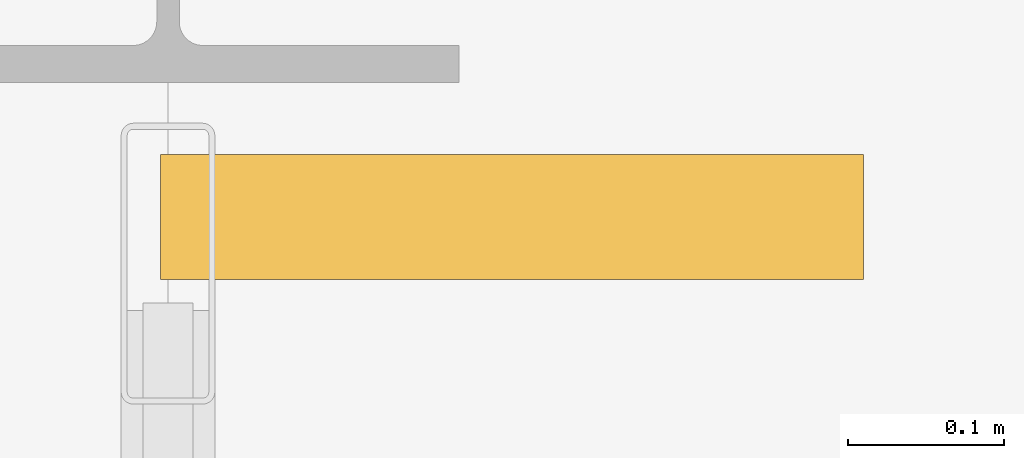
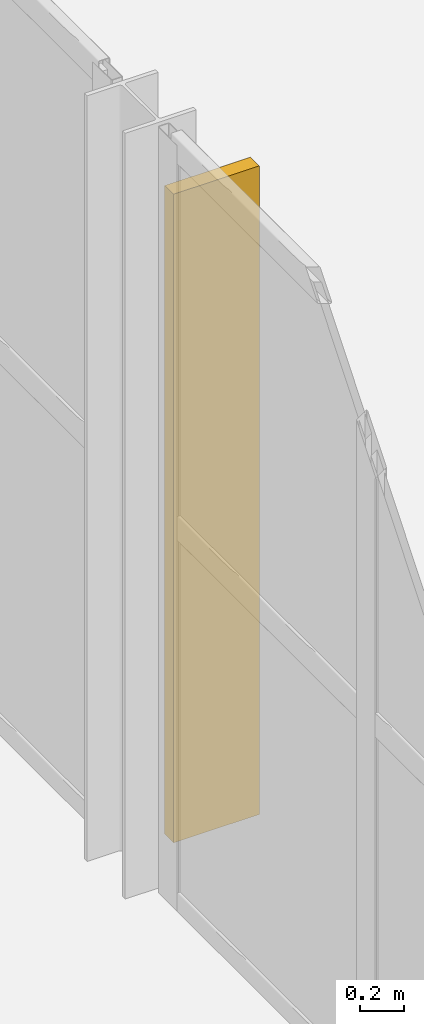
# One storey, part 170 of 170: 1 shading device.
"""IFC4 building model written with IfcOpenShell, lengths in metres."""

from ifc_helpers import new_model, si_unit, direction, frame, origin, origin_2d, place, context, subcontext, project, spatial, rectangle, extrude, material, type_object, element, save


model = new_model("IFC4")

# Units and contexts
model_context = context("Model", 3, precision=1e-05, world=origin(), true_north=direction((0.0, 1.0)))
body_context = subcontext(model_context, "Body", "Model", "MODEL_VIEW")
ifc_project = project(units=[si_unit("LENGTHUNIT", "METRE"), si_unit("AREAUNIT", "SQUARE_METRE"), si_unit("VOLUMEUNIT", "CUBIC_METRE"), si_unit("PLANEANGLEUNIT", "RADIAN"), si_unit("MASSUNIT", "GRAM", prefix="KILO")], contexts=[model_context])

# Site, building, storey
site_placement = place(None, origin())
site = spatial("IfcSite", under=ifc_project, at=site_placement, CompositionType="ELEMENT")
building_placement = place(site_placement, origin())
building = spatial("IfcBuilding", under=site, at=building_placement, Name="Coralgate Yard Interchange", CompositionType="ELEMENT")
storey_placement = place(building_placement, frame((0.0, 0.0, 6.0)))
storey = spatial("IfcBuildingStorey", under=building, at=storey_placement, Name="L01", CompositionType="ELEMENT", Elevation=6.0)

# Shading device
ifc_material = material(Name="Anodised coastal aluminium vertical brise-soleil blade", Category="aluminium")
shading_device_type = type_object("IfcShadingDeviceType", Name="SHD-BS1", PredefinedType="SHUTTER", material=ifc_material)
shading_device_placement = place(storey_placement, frame((134.6201171875, 57.330078125, 0.324951171875), z_axis=(0.0, 0.0, 1.0), x_axis=(0.0, -1.0, 0.0)))
element("IfcShadingDevice", 1, at=shading_device_placement, inside=storey, type_object=shading_device_type, Name="L01 coastal aluminium brise-soleil fin E-13-5", PredefinedType="SHUTTER", context=body_context, shape_type="SweptSolid", body=[
    extrude(rectangle(XDim=0.080078125, YDim=0.449951171875, at=origin_2d()), origin(), (0.0, 0.0, 1.0), 3.60009765625),
])

save(model, "model.ifc")
